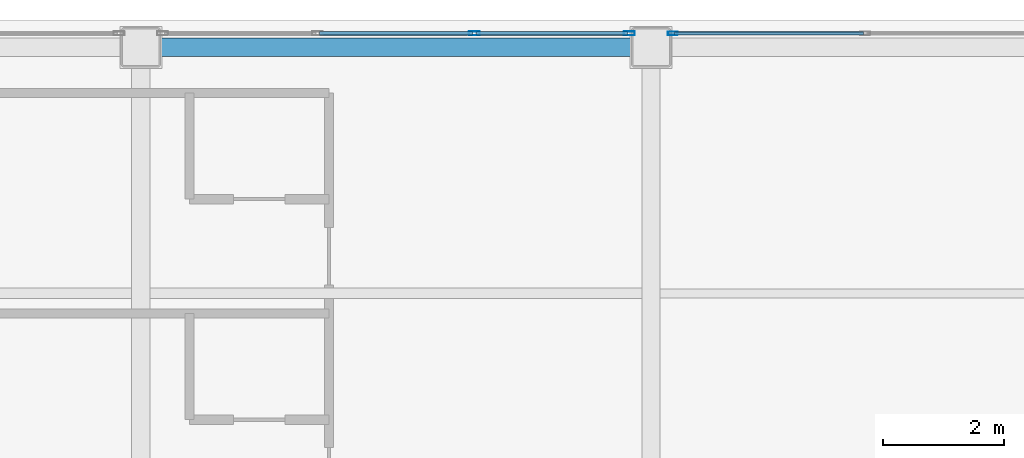
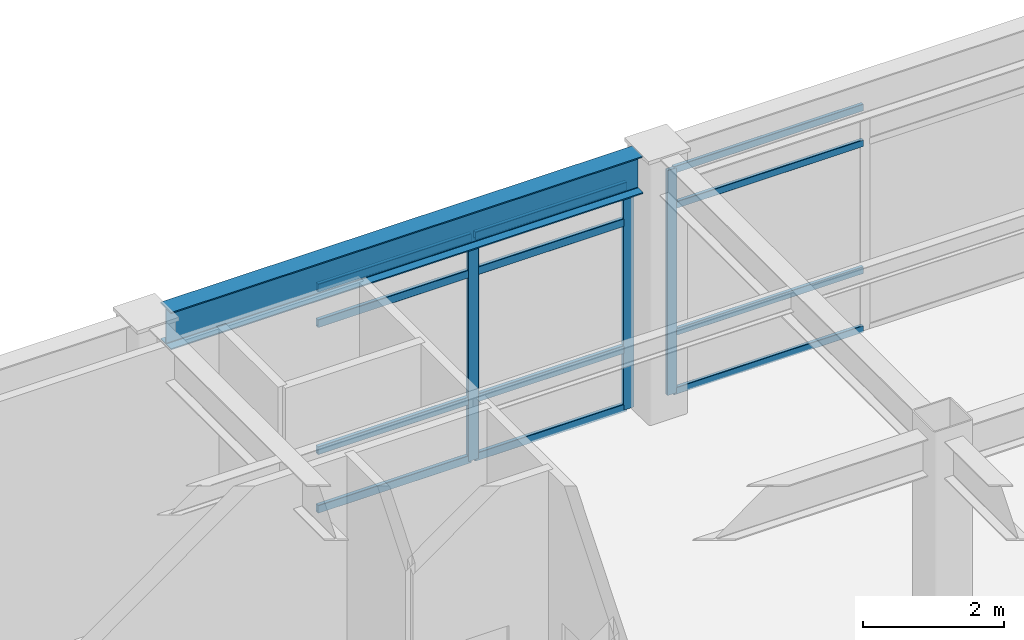
# One storey, part 42 of 61: 15 members, 1 beam, 2 elements without a shape of their own.
"""IFC4 building model written with IfcOpenShell, lengths in metres."""

from ifc_helpers import new_model, si_unit, direction, frame, origin, origin_2d, place, context, subcontext, project, spatial, hollow_rectangle, i_section, extrude, material, layer, layer_set, material_profile, profile_set, type_object, element, aggregate, save


model = new_model("IFC4")

# Units and contexts
model_context = context("Model", 3, precision=1e-05, world=origin(), true_north=direction((0.0, 1.0)))
body_context = subcontext(model_context, "Body", "Model", "MODEL_VIEW")
ifc_project = project(units=[si_unit("LENGTHUNIT", "METRE"), si_unit("AREAUNIT", "SQUARE_METRE"), si_unit("VOLUMEUNIT", "CUBIC_METRE"), si_unit("PLANEANGLEUNIT", "RADIAN"), si_unit("MASSUNIT", "GRAM", prefix="KILO")], contexts=[model_context])

# Site, building, storey
site_placement = place(None, origin())
site = spatial("IfcSite", under=ifc_project, at=site_placement, CompositionType="ELEMENT")
building_placement = place(site_placement, origin())
building = spatial("IfcBuilding", under=site, at=building_placement, Name="Kazehara Bluff Congress Hotel", CompositionType="ELEMENT")
storey_placement = place(building_placement, frame((0.0, 0.0, 19.800048828125)))
storey = spatial("IfcBuildingStorey", under=building, at=storey_placement, Name="L04", CompositionType="ELEMENT", Elevation=19.800048828125)

# Curtain wall, member
ifc_material_1 = material(Name="Anodised aluminium", Category="aluminium")
ifc_layer_1 = layer(ifc_material_1, 0.159912109375)
ifc_layer_set_1 = layer_set([ifc_layer_1], Name="Anodised aluminium")
curtain_wall_type_1 = type_object("IfcCurtainWallType", Name="TP-CW-159", PredefinedType="NOTDEFINED", material=ifc_layer_set_1)
curtain_wall_1_placement = place(storey_placement, origin())
curtain_wall_1 = element("IfcCurtainWall", 1, at=curtain_wall_1_placement, inside=storey, type_object=curtain_wall_type_1, Name="L04 curtain wall CW-159 CW-ENC-V5-L04-16402-11378", PredefinedType="NOTDEFINED")
ifc_material_2 = material(Name="Anodised aluminium", Category="aluminium")
ifc_material_profile_1 = material_profile(ifc_material_2, hollow_rectangle(XDim=0.06005859375, YDim=0.159912109375, WallThickness=0.00390625, InnerFilletRadius=0.00390625, OuterFilletRadius=0.008056640625, at=origin_2d()))
ifc_profile_set_1 = profile_set([ifc_material_profile_1], Name="Anodised aluminium")
member_type_1 = type_object("IfcMemberType", Name="TP-CWM-01", PredefinedType="MULLION", material=ifc_profile_set_1)
member_1_placement = place(storey_placement, frame((160.85498046875, 113.780029296875, 0.0), z_axis=(0.0, 0.0, 1.0), x_axis=(0.0, 1.0, 0.0)))
member_1 = element("IfcMember", 2, at=member_1_placement, type_object=member_type_1, Name="CW-159 mullion 1", PredefinedType="MULLION", context=body_context, shape_type="SweptSolid", body=[
    extrude(hollow_rectangle(XDim=0.06005859375, YDim=0.159912109375, WallThickness=0.00390625, InnerFilletRadius=0.00390625, OuterFilletRadius=0.008056640625, at=origin_2d()), origin(), (0.0, 0.0, 1.0), 3.905029296875),
])

# Curtain wall, members
ifc_material_3 = material(Name="Anodised aluminium", Category="aluminium")
ifc_layer_2 = layer(ifc_material_3, 0.159912109375)
ifc_layer_set_2 = layer_set([ifc_layer_2], Name="Anodised aluminium")
curtain_wall_type_2 = type_object("IfcCurtainWallType", Name="TP-CW-158", PredefinedType="NOTDEFINED", material=ifc_layer_set_2)
curtain_wall_2_placement = place(storey_placement, origin())
curtain_wall_2 = element("IfcCurtainWall", 3, at=curtain_wall_2_placement, inside=storey, type_object=curtain_wall_type_2, Name="L04 curtain wall CW-158 CW-ENC-V5-L04-15630-11378", PredefinedType="NOTDEFINED")
ifc_material_4 = material(Name="Anodised aluminium", Category="aluminium")
ifc_material_profile_2 = material_profile(ifc_material_4, hollow_rectangle(XDim=0.06494140625, YDim=0.179931640625, WallThickness=0.00390625, InnerFilletRadius=0.00390625, OuterFilletRadius=0.008056640625, at=origin_2d()))
ifc_profile_set_2 = profile_set([ifc_material_profile_2], Name="Anodised aluminium")
member_type_2 = type_object("IfcMemberType", Name="TP-CWM-02", PredefinedType="MULLION", material=ifc_profile_set_2)
member_2_placement = place(storey_placement, frame((157.591552734375, 113.780029296875, 0.0), z_axis=(0.0, 0.0, 1.0), x_axis=(0.0, 1.0, 0.0)))
member_2 = element("IfcMember", 4, at=member_2_placement, type_object=member_type_2, Name="CW-158 mullion 3", PredefinedType="MULLION", context=body_context, shape_type="SweptSolid", body=[
    extrude(hollow_rectangle(XDim=0.06494140625, YDim=0.179931640625, WallThickness=0.00390625, InnerFilletRadius=0.00390625, OuterFilletRadius=0.008056640625, at=origin_2d()), origin(), (0.0, 0.0, 1.0), 3.905029296875),
])
member_3_placement = place(storey_placement, frame((160.142578125, 113.780029296875, 0.0), z_axis=(0.0, 0.0, 1.0), x_axis=(0.0, 1.0, 0.0)))
member_3 = element("IfcMember", 5, at=member_3_placement, type_object=member_type_2, Name="CW-158 mullion 4", PredefinedType="MULLION", context=body_context, shape_type="SweptSolid", body=[
    extrude(hollow_rectangle(XDim=0.06494140625, YDim=0.179931640625, WallThickness=0.00390625, InnerFilletRadius=0.00390625, OuterFilletRadius=0.008056640625, at=origin_2d()), origin(), (0.0, 0.0, 1.0), 3.905029296875),
])

# Member
ifc_material_5 = material(Name="Anodised aluminium", Category="aluminium")
ifc_material_profile_3 = material_profile(ifc_material_5, hollow_rectangle(XDim=0.06005859375, YDim=0.1201171875, WallThickness=0.00390625, InnerFilletRadius=0.00390625, OuterFilletRadius=0.008056640625, at=origin_2d()))
ifc_profile_set_3 = profile_set([ifc_material_profile_3], Name="Anodised aluminium")
member_type_3 = type_object("IfcMemberType", Name="TP-CWT-01", PredefinedType="USERDEFINED", material=ifc_profile_set_3)
member_4_placement = place(storey_placement, frame((160.885009765625, 113.780029296875, 0.030029296875), z_axis=(1.0, 0.0, 0.0), x_axis=(0.0, 1.0, 0.0)))
member_4 = element("IfcMember", 6, at=member_4_placement, type_object=member_type_3, Name="CW-159 transom 1.1", ObjectType="TRANSOM", PredefinedType="USERDEFINED", context=body_context, shape_type="SweptSolid", body=[
    extrude(hollow_rectangle(XDim=0.06005859375, YDim=0.1201171875, WallThickness=0.00390625, InnerFilletRadius=0.00390625, OuterFilletRadius=0.008056640625, at=origin_2d()), origin(), (0.0, 0.0, 1.0), 3.110107421875),
])

member_5_placement = place(storey_placement, frame((160.885009765625, 113.780029296875, 1.050048828125), z_axis=(1.0, 0.0, 0.0), x_axis=(0.0, 1.0, 0.0)))
member_5 = element("IfcMember", 7, at=member_5_placement, type_object=member_type_3, Name="CW-159 transom 1.2", ObjectType="TRANSOM", PredefinedType="USERDEFINED", context=body_context, shape_type="SweptSolid", body=[
    extrude(hollow_rectangle(XDim=0.06005859375, YDim=0.1201171875, WallThickness=0.00390625, InnerFilletRadius=0.00390625, OuterFilletRadius=0.008056640625, at=origin_2d()), origin(), (0.0, 0.0, 1.0), 3.110107421875),
])

member_6_placement = place(storey_placement, frame((160.885009765625, 113.780029296875, 3.2548828125), z_axis=(1.0, 0.0, 0.0), x_axis=(0.0, 1.0, 0.0)))
member_6 = element("IfcMember", 8, at=member_6_placement, type_object=member_type_3, Name="CW-159 transom 1.3", ObjectType="TRANSOM", PredefinedType="USERDEFINED", context=body_context, shape_type="SweptSolid", body=[
    extrude(hollow_rectangle(XDim=0.06005859375, YDim=0.1201171875, WallThickness=0.00390625, InnerFilletRadius=0.00390625, OuterFilletRadius=0.008056640625, at=origin_2d()), origin(), (0.0, 0.0, 1.0), 3.110107421875),
])

member_7_placement = place(storey_placement, frame((160.885009765625, 113.780029296875, 3.875), z_axis=(1.0, 0.0, 0.0), x_axis=(0.0, 1.0, 0.0)))
member_7 = element("IfcMember", 9, at=member_7_placement, type_object=member_type_3, Name="CW-159 transom 1.4", ObjectType="TRANSOM", PredefinedType="USERDEFINED", context=body_context, shape_type="SweptSolid", body=[
    extrude(hollow_rectangle(XDim=0.06005859375, YDim=0.1201171875, WallThickness=0.00390625, InnerFilletRadius=0.00390625, OuterFilletRadius=0.008056640625, at=origin_2d()), origin(), (0.0, 0.0, 1.0), 3.110107421875),
])

aggregate(curtain_wall_1, [member_1, member_4, member_5, member_6, member_7])

ifc_material_6 = material(Name="Anodised aluminium", Category="aluminium")
ifc_material_profile_4 = material_profile(ifc_material_6, hollow_rectangle(XDim=0.06494140625, YDim=0.139892578125, WallThickness=0.00390625, InnerFilletRadius=0.00390625, OuterFilletRadius=0.008056640625, at=origin_2d()))
ifc_profile_set_4 = profile_set([ifc_material_profile_4], Name="Anodised aluminium")
member_type_4 = type_object("IfcMemberType", Name="TP-CWT-02", PredefinedType="USERDEFINED", material=ifc_profile_set_4)
member_8_placement = place(storey_placement, frame((155.040771484375, 113.780029296875, 0.032470703125), z_axis=(1.0, 0.0, 0.0), x_axis=(0.0, 1.0, 0.0)))
member_8 = element("IfcMember", 10, at=member_8_placement, type_object=member_type_4, Name="CW-158 transom 2.1", ObjectType="TRANSOM", PredefinedType="USERDEFINED", context=body_context, shape_type="SweptSolid", body=[
    extrude(hollow_rectangle(XDim=0.06494140625, YDim=0.139892578125, WallThickness=0.00390625, InnerFilletRadius=0.00390625, OuterFilletRadius=0.008056640625, at=origin_2d()), origin(), (0.0, 0.0, 1.0), 2.518310546875),
])

member_9_placement = place(storey_placement, frame((155.040771484375, 113.780029296875, 1.050048828125), z_axis=(1.0, 0.0, 0.0), x_axis=(0.0, 1.0, 0.0)))
member_9 = element("IfcMember", 11, at=member_9_placement, type_object=member_type_4, Name="CW-158 transom 2.2", ObjectType="TRANSOM", PredefinedType="USERDEFINED", context=body_context, shape_type="SweptSolid", body=[
    extrude(hollow_rectangle(XDim=0.06494140625, YDim=0.139892578125, WallThickness=0.00390625, InnerFilletRadius=0.00390625, OuterFilletRadius=0.008056640625, at=origin_2d()), origin(), (0.0, 0.0, 1.0), 2.518310546875),
])

member_10_placement = place(storey_placement, frame((155.040771484375, 113.780029296875, 3.2548828125), z_axis=(1.0, 0.0, 0.0), x_axis=(0.0, 1.0, 0.0)))
member_10 = element("IfcMember", 12, at=member_10_placement, type_object=member_type_4, Name="CW-158 transom 2.3", ObjectType="TRANSOM", PredefinedType="USERDEFINED", context=body_context, shape_type="SweptSolid", body=[
    extrude(hollow_rectangle(XDim=0.06494140625, YDim=0.139892578125, WallThickness=0.00390625, InnerFilletRadius=0.00390625, OuterFilletRadius=0.008056640625, at=origin_2d()), origin(), (0.0, 0.0, 1.0), 2.518310546875),
])

member_11_placement = place(storey_placement, frame((155.040771484375, 113.780029296875, 3.87255859375), z_axis=(1.0, 0.0, 0.0), x_axis=(0.0, 1.0, 0.0)))
member_11 = element("IfcMember", 13, at=member_11_placement, type_object=member_type_4, Name="CW-158 transom 2.4", ObjectType="TRANSOM", PredefinedType="USERDEFINED", context=body_context, shape_type="SweptSolid", body=[
    extrude(hollow_rectangle(XDim=0.06494140625, YDim=0.139892578125, WallThickness=0.00390625, InnerFilletRadius=0.00390625, OuterFilletRadius=0.008056640625, at=origin_2d()), origin(), (0.0, 0.0, 1.0), 2.518310546875),
])

member_12_placement = place(storey_placement, frame((157.624267578125, 113.780029296875, 0.032470703125), z_axis=(1.0, 0.0, 0.0), x_axis=(0.0, 1.0, 0.0)))
member_12 = element("IfcMember", 14, at=member_12_placement, type_object=member_type_4, Name="CW-158 transom 3.1", ObjectType="TRANSOM", PredefinedType="USERDEFINED", context=body_context, shape_type="SweptSolid", body=[
    extrude(hollow_rectangle(XDim=0.06494140625, YDim=0.139892578125, WallThickness=0.00390625, InnerFilletRadius=0.00390625, OuterFilletRadius=0.008056640625, at=origin_2d()), origin(), (0.0, 0.0, 1.0), 2.48583984375),
])

member_13_placement = place(storey_placement, frame((157.624267578125, 113.780029296875, 1.050048828125), z_axis=(1.0, 0.0, 0.0), x_axis=(0.0, 1.0, 0.0)))
member_13 = element("IfcMember", 15, at=member_13_placement, type_object=member_type_4, Name="CW-158 transom 3.2", ObjectType="TRANSOM", PredefinedType="USERDEFINED", context=body_context, shape_type="SweptSolid", body=[
    extrude(hollow_rectangle(XDim=0.06494140625, YDim=0.139892578125, WallThickness=0.00390625, InnerFilletRadius=0.00390625, OuterFilletRadius=0.008056640625, at=origin_2d()), origin(), (0.0, 0.0, 1.0), 2.48583984375),
])

member_14_placement = place(storey_placement, frame((157.624267578125, 113.780029296875, 3.2548828125), z_axis=(1.0, 0.0, 0.0), x_axis=(0.0, 1.0, 0.0)))
member_14 = element("IfcMember", 16, at=member_14_placement, type_object=member_type_4, Name="CW-158 transom 3.3", ObjectType="TRANSOM", PredefinedType="USERDEFINED", context=body_context, shape_type="SweptSolid", body=[
    extrude(hollow_rectangle(XDim=0.06494140625, YDim=0.139892578125, WallThickness=0.00390625, InnerFilletRadius=0.00390625, OuterFilletRadius=0.008056640625, at=origin_2d()), origin(), (0.0, 0.0, 1.0), 2.48583984375),
])

member_15_placement = place(storey_placement, frame((157.624267578125, 113.780029296875, 3.87255859375), z_axis=(1.0, 0.0, 0.0), x_axis=(0.0, 1.0, 0.0)))
member_15 = element("IfcMember", 17, at=member_15_placement, type_object=member_type_4, Name="CW-158 transom 3.4", ObjectType="TRANSOM", PredefinedType="USERDEFINED", context=body_context, shape_type="SweptSolid", body=[
    extrude(hollow_rectangle(XDim=0.06494140625, YDim=0.139892578125, WallThickness=0.00390625, InnerFilletRadius=0.00390625, OuterFilletRadius=0.008056640625, at=origin_2d()), origin(), (0.0, 0.0, 1.0), 2.48583984375),
])

aggregate(curtain_wall_2, [member_2, member_3, member_8, member_9, member_10, member_11, member_12, member_13, member_14, member_15])

# Beam
ifc_material_7 = material(Name="Steel SN490B", Category="steel")
ifc_material_profile_5 = material_profile(ifc_material_7, i_section(OverallWidth=0.300048828125, OverallDepth=0.64990234375, WebThickness=0.011962890625, FlangeThickness=0.02001953125, FilletRadius=0.012939453125, at=origin_2d()))
ifc_profile_set_5 = profile_set([ifc_material_profile_5], Name="Steel SN490B")
beam_type = type_object("IfcBeamType", Name="TP-G-03", PredefinedType="BEAM", material=ifc_profile_set_5)
beam_placement = place(storey_placement, frame((152.425048828125, 113.550048828125, 4.2548828125), z_axis=(1.0, 0.0, 0.0), x_axis=(0.0, 1.0, 0.0)))
element("IfcBeam", 18, at=beam_placement, inside=storey, type_object=beam_type, Name="L04 girder G-03 117", PredefinedType="BEAM", context=body_context, shape_type="SweptSolid", body=[
    extrude(i_section(OverallWidth=0.300048828125, OverallDepth=0.64990234375, WebThickness=0.011962890625, FlangeThickness=0.02001953125, FilletRadius=0.012939453125, at=origin_2d()), origin(), (0.0, 0.0, 1.0), 7.75),
])

save(model, "model.ifc")
